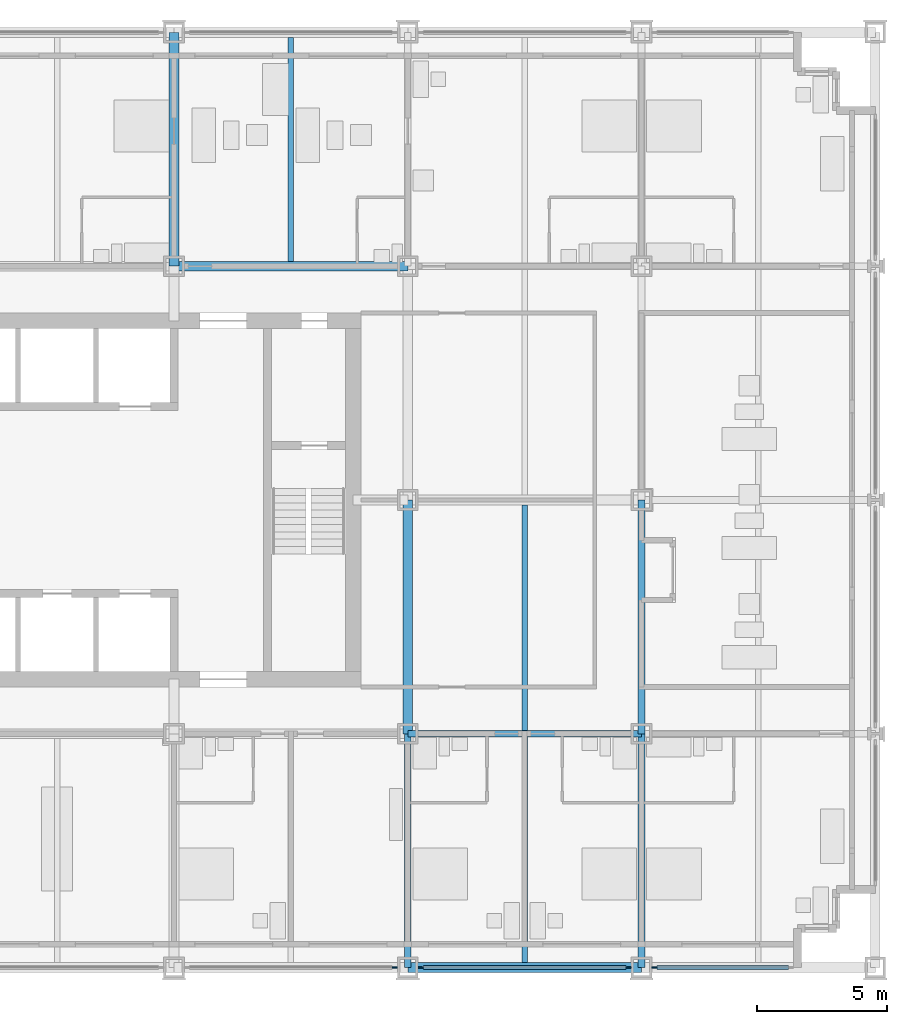
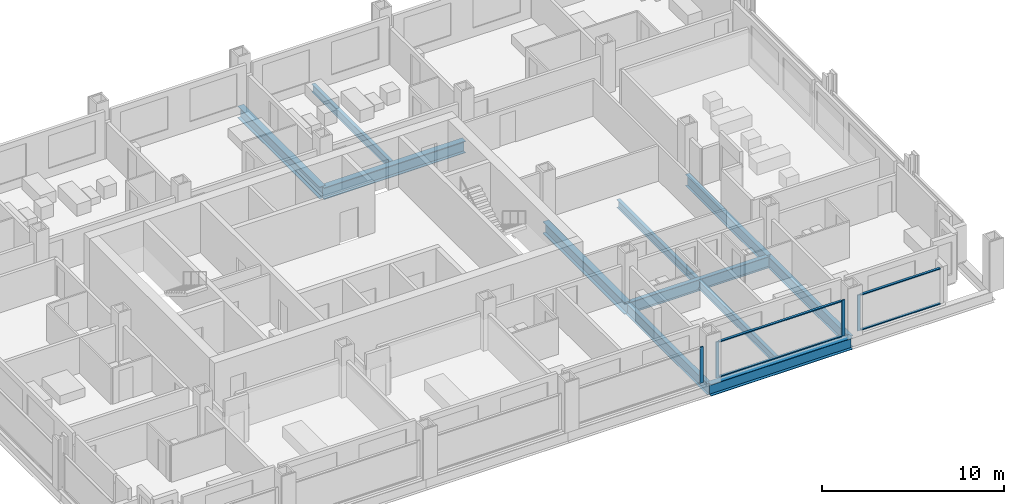
# One storey, part 5 of 18: 11 beams, 8 members, 3 elements without a shape of their own.
"""IFC4 building model written with IfcOpenShell, lengths in metres."""

from ifc_helpers import new_model, si_unit, direction, frame, origin, origin_2d, place, context, subcontext, project, spatial, rectangle, i_section, extrude, material, material_profile, profile_set, type_object, element, aggregate, save


model = new_model("IFC4")

# Units and contexts
model_context = context("Model", 3, precision=1e-05, world=origin(), true_north=direction((0.0, 1.0)))
body_context = subcontext(model_context, "Body", "Model", "MODEL_VIEW")
ifc_project = project(units=[si_unit("LENGTHUNIT", "METRE"), si_unit("AREAUNIT", "SQUARE_METRE"), si_unit("VOLUMEUNIT", "CUBIC_METRE"), si_unit("PLANEANGLEUNIT", "RADIAN"), si_unit("MASSUNIT", "GRAM", prefix="KILO")], contexts=[model_context])

# Site, building, storey
site_placement = place(None, origin())
site = spatial("IfcSite", under=ifc_project, at=site_placement, CompositionType="ELEMENT")
building_placement = place(site_placement, origin())
building = spatial("IfcBuilding", under=site, at=building_placement, Name="Loomwork Tower", CompositionType="ELEMENT")
storey_placement = place(building_placement, frame((0.0, 0.0, 28.0)))
storey = spatial("IfcBuildingStorey", under=building, at=storey_placement, Name="L05", CompositionType="ELEMENT", Elevation=28.0)

# Beams
ifc_material_1 = material(Name="Steel ASTM A992", Category="steel")
ifc_material_profile_1 = material_profile(ifc_material_1, i_section(OverallWidth=0.383544921875, OverallDepth=0.794921875, WebThickness=0.02099609375, FlangeThickness=0.0380859375, at=origin_2d()), Name="W30x235")
ifc_profile_set_1 = profile_set([ifc_material_profile_1], Name="Steel ASTM A992")
beam_type_1 = type_object("IfcBeamType", Name="CORE FLANK GIRDER W30x235", PredefinedType="BEAM", material=ifc_profile_set_1)
for number, where, z_axis, x_axis, name in (
    (1, (27.0, 27.0, -0.597412109375), (1.0, 0.0, 0.0), (0.0, 1.0, 0.0), "Core Flank Girder G/5-G/6 L05"),
    (2, (27.0, 27.0, -0.597412109375), (0.0, 1.0, 0.0), (-1.0, 0.0, 0.0), "Core Flank Girder G/5-H/5 L05"),
    (3, (36.0, 9.0, -0.597412109375), (0.0, 1.0, 0.0), (-1.0, 0.0, 0.0), "Core Flank Girder E/6-F/6 L05"),
):
    element("IfcBeam", number, at=place(storey_placement, frame(where, z_axis=z_axis, x_axis=x_axis)), inside=storey, type_object=beam_type_1, Name=name, PredefinedType="BEAM", context=body_context, shape_type="SweptSolid", body=[
        extrude(i_section(OverallWidth=0.383544921875, OverallDepth=0.794921875, WebThickness=0.02099609375, FlangeThickness=0.0380859375, at=origin_2d()), origin(), (0.0, 0.0, 1.0), 9.0),
    ])
ifc_material_2 = material(Name="Steel ASTM A992", Category="steel")
ifc_material_profile_2 = material_profile(ifc_material_2, i_section(OverallWidth=0.2666015625, OverallDepth=0.761962890625, WebThickness=0.014404296875, FlangeThickness=0.021484375, at=origin_2d()), Name="W30x116")
ifc_profile_set_2 = profile_set([ifc_material_profile_2], Name="Steel ASTM A992")
beam_type_2 = type_object("IfcBeamType", Name="FLOOR GIRDER W30x116", PredefinedType="BEAM", material=ifc_profile_set_2)
for number, where, z_axis, x_axis, name in (
    (4, (36.0, 9.0, -0.5810546875), (1.0, 0.0, 0.0), (0.0, 1.0, 0.0), "Floor Girder E/6-E/7 L05"),
    (5, (36.0, 0.0, -0.5810546875), (0.0, 1.0, 0.0), (-1.0, 0.0, 0.0), "Floor Girder D/6-E/6 L05"),
    (6, (45.0, 0.0, -0.5810546875), (0.0, 1.0, 0.0), (-1.0, 0.0, 0.0), "Floor Girder D/7-E/7 L05"),
    (7, (45.0, 9.0, -0.5810546875), (0.0, 1.0, 0.0), (-1.0, 0.0, 0.0), "Floor Girder E/7-F/7 L05"),
):
    element("IfcBeam", number, at=place(storey_placement, frame(where, z_axis=z_axis, x_axis=x_axis)), inside=storey, type_object=beam_type_2, Name=name, PredefinedType="BEAM", context=body_context, shape_type="SweptSolid", body=[
        extrude(i_section(OverallWidth=0.2666015625, OverallDepth=0.761962890625, WebThickness=0.014404296875, FlangeThickness=0.021484375, at=origin_2d()), origin(), (0.0, 0.0, 1.0), 9.0),
    ])
ifc_material_3 = material(Name="Steel ASTM A992", Category="steel")
ifc_material_profile_3 = material_profile(ifc_material_3, i_section(OverallWidth=0.21240234375, OverallDepth=0.54345703125, WebThickness=0.01318359375, FlangeThickness=0.021240234375, at=origin_2d()), Name="W21x83")
ifc_profile_set_3 = profile_set([ifc_material_profile_3], Name="Steel ASTM A992")
beam_type_3 = type_object("IfcBeamType", Name="FLOOR JOIST W21x83", PredefinedType="JOIST", material=ifc_profile_set_3)
beam_1_placement = place(storey_placement, frame((31.5, 27.19091796875, -0.4716796875), z_axis=(0.0, 1.0, 0.0), x_axis=(-1.0, 0.0, 0.0)))
element("IfcBeam", 8, at=beam_1_placement, inside=storey, type_object=beam_type_3, Name="Floor Joist 31.500,27.000-31.500,36.000 L05", PredefinedType="JOIST", context=body_context, shape_type="SweptSolid", body=[
    extrude(i_section(OverallWidth=0.21240234375, OverallDepth=0.54345703125, WebThickness=0.01318359375, FlangeThickness=0.021240234375, at=origin_2d()), origin(), (0.0, 0.0, 1.0), 8.619140625),
])
beam_2_placement = place(storey_placement, frame((40.5, 0.18994140625, -0.4716796875), z_axis=(0.0, 1.0, 0.0), x_axis=(-1.0, 0.0, 0.0)))
element("IfcBeam", 9, at=beam_2_placement, inside=storey, type_object=beam_type_3, Name="Floor Joist 40.500,0.000-40.500,9.000 L05", PredefinedType="JOIST", context=body_context, shape_type="SweptSolid", body=[
    extrude(i_section(OverallWidth=0.21240234375, OverallDepth=0.54345703125, WebThickness=0.01318359375, FlangeThickness=0.021240234375, at=origin_2d()), origin(), (0.0, 0.0, 1.0), 8.677001953125),
])
beam_3_placement = place(storey_placement, frame((40.5, 9.133056640625, -0.4716796875), z_axis=(0.0, 1.0, 0.0), x_axis=(-1.0, 0.0, 0.0)))
element("IfcBeam", 10, at=beam_3_placement, inside=storey, type_object=beam_type_3, Name="Floor Joist 40.500,9.000-40.500,18.000 L05", PredefinedType="JOIST", context=body_context, shape_type="SweptSolid", body=[
    extrude(i_section(OverallWidth=0.21240234375, OverallDepth=0.54345703125, WebThickness=0.01318359375, FlangeThickness=0.021240234375, at=origin_2d()), origin(), (0.0, 0.0, 1.0), 8.676025390625),
])

# Curtain wall, member
ifc_material_4 = material(Name="Aluminium curtain wall frame", Category="aluminium")
curtain_wall_type = type_object("IfcCurtainWallType", Name="Outer skin glazing hotel", PredefinedType="NOTDEFINED", material=ifc_material_4)
curtain_wall_1_placement = place(storey_placement, origin())
curtain_wall_1 = element("IfcCurtainWall", 11, at=curtain_wall_1_placement, inside=storey, type_object=curtain_wall_type, Name="Outer skin glazing hotel cw/S-27", PredefinedType="NOTDEFINED")
ifc_material_5 = material(Name="Aluminium curtain wall frame", Category="aluminium")
ifc_material_profile_4 = material_profile(ifc_material_5, rectangle(XDim=0.06494140625, YDim=0.199951171875, at=origin_2d()), Name="AL 65x200")
ifc_profile_set_4 = profile_set([ifc_material_profile_4], Name="Aluminium curtain wall frame")
member_type_1 = type_object("IfcMemberType", Name="Outer skin glazing hotel mullion", PredefinedType="MULLION", material=ifc_profile_set_4)
member_1_placement = place(storey_placement, frame((35.5, 0.0, 0.0), z_axis=(0.0, 0.0, 1.0), x_axis=(0.0, 1.0, 0.0)))
member_1 = element("IfcMember", 12, at=member_1_placement, type_object=member_type_1, Name="CW1 mullion 2", PredefinedType="MULLION", context=body_context, shape_type="SweptSolid", body=[
    extrude(rectangle(XDim=0.06494140625, YDim=0.199951171875, at=origin_2d()), origin(), (0.0, 0.0, 1.0), 2.420166015625),
])
aggregate(curtain_wall_1, [member_1])

# Curtain wall, members
curtain_wall_2_placement = place(storey_placement, origin())
curtain_wall_2 = element("IfcCurtainWall", 13, at=curtain_wall_2_placement, inside=storey, type_object=curtain_wall_type, Name="Outer skin glazing hotel cw/S-36", PredefinedType="NOTDEFINED")
member_2_placement = place(storey_placement, frame((36.5, 0.0, 0.0), z_axis=(0.0, 0.0, 1.0), x_axis=(0.0, 1.0, 0.0)))
member_2 = element("IfcMember", 14, at=member_2_placement, type_object=member_type_1, Name="CW1 mullion 1", PredefinedType="MULLION", context=body_context, shape_type="SweptSolid", body=[
    extrude(rectangle(XDim=0.06494140625, YDim=0.199951171875, at=origin_2d()), origin(), (0.0, 0.0, 1.0), 2.420166015625),
])
member_3_placement = place(storey_placement, frame((44.5, 0.0, 0.0), z_axis=(0.0, 0.0, 1.0), x_axis=(0.0, 1.0, 0.0)))
member_3 = element("IfcMember", 15, at=member_3_placement, type_object=member_type_1, Name="CW1 mullion 2", PredefinedType="MULLION", context=body_context, shape_type="SweptSolid", body=[
    extrude(rectangle(XDim=0.06494140625, YDim=0.199951171875, at=origin_2d()), origin(), (0.0, 0.0, 1.0), 2.420166015625),
])

# Curtain wall, member
curtain_wall_3_placement = place(storey_placement, origin())
curtain_wall_3 = element("IfcCurtainWall", 16, at=curtain_wall_3_placement, inside=storey, type_object=curtain_wall_type, Name="Outer skin glazing hotel cw/S-45", PredefinedType="NOTDEFINED")
member_4_placement = place(storey_placement, frame((45.5, 0.0, 0.0), z_axis=(0.0, 0.0, 1.0), x_axis=(0.0, 1.0, 0.0)))
member_4 = element("IfcMember", 17, at=member_4_placement, type_object=member_type_1, Name="CW1 mullion 1", PredefinedType="MULLION", context=body_context, shape_type="SweptSolid", body=[
    extrude(rectangle(XDim=0.06494140625, YDim=0.199951171875, at=origin_2d()), origin(), (0.0, 0.0, 1.0), 2.420166015625),
])

# Member
ifc_material_6 = material(Name="Aluminium curtain wall frame", Category="aluminium")
ifc_material_profile_5 = material_profile(ifc_material_6, rectangle(XDim=0.14990234375, YDim=0.06494140625, at=origin_2d()), Name="AL 65x150")
ifc_profile_set_5 = profile_set([ifc_material_profile_5], Name="Aluminium curtain wall frame")
member_type_2 = type_object("IfcMemberType", Name="Outer skin glazing hotel transom", PredefinedType="USERDEFINED", material=ifc_profile_set_5)
member_5_placement = place(storey_placement, frame((36.60009765625, 0.0, 0.032470703125), z_axis=(1.0, 0.0, 0.0), x_axis=(0.0, 1.0, 0.0)))
member_5 = element("IfcMember", 18, at=member_5_placement, type_object=member_type_2, Name="CW1 transom 1.1", ObjectType="TRANSOM", PredefinedType="USERDEFINED", context=body_context, shape_type="SweptSolid", body=[
    extrude(rectangle(XDim=0.14990234375, YDim=0.06494140625, at=origin_2d()), origin(), (0.0, 0.0, 1.0), 7.7998046875),
])

member_6_placement = place(storey_placement, frame((36.60009765625, 0.0, 2.3876953125), z_axis=(1.0, 0.0, 0.0), x_axis=(0.0, 1.0, 0.0)))
member_6 = element("IfcMember", 19, at=member_6_placement, type_object=member_type_2, Name="CW1 transom 1.2", ObjectType="TRANSOM", PredefinedType="USERDEFINED", context=body_context, shape_type="SweptSolid", body=[
    extrude(rectangle(XDim=0.14990234375, YDim=0.06494140625, at=origin_2d()), origin(), (0.0, 0.0, 1.0), 7.7998046875),
])

aggregate(curtain_wall_2, [member_2, member_3, member_5, member_6])

member_7_placement = place(storey_placement, frame((45.60009765625, 0.0, 0.032470703125), z_axis=(1.0, 0.0, 0.0), x_axis=(0.0, 1.0, 0.0)))
member_7 = element("IfcMember", 20, at=member_7_placement, type_object=member_type_2, Name="CW1 transom 1.1", ObjectType="TRANSOM", PredefinedType="USERDEFINED", context=body_context, shape_type="SweptSolid", body=[
    extrude(rectangle(XDim=0.14990234375, YDim=0.06494140625, at=origin_2d()), origin(), (0.0, 0.0, 1.0), 5.0498046875),
])

member_8_placement = place(storey_placement, frame((45.60009765625, 0.0, 2.3876953125), z_axis=(1.0, 0.0, 0.0), x_axis=(0.0, 1.0, 0.0)))
member_8 = element("IfcMember", 21, at=member_8_placement, type_object=member_type_2, Name="CW1 transom 1.2", ObjectType="TRANSOM", PredefinedType="USERDEFINED", context=body_context, shape_type="SweptSolid", body=[
    extrude(rectangle(XDim=0.14990234375, YDim=0.06494140625, at=origin_2d()), origin(), (0.0, 0.0, 1.0), 5.0498046875),
])

aggregate(curtain_wall_3, [member_4, member_7, member_8])

# Beam
ifc_material_7 = material(Name="Steel ASTM A992", Category="steel")
ifc_material_profile_6 = material_profile(ifc_material_7, i_section(OverallWidth=0.381103515625, OverallDepth=0.77978515625, WebThickness=0.01806640625, FlangeThickness=0.0302734375, at=origin_2d()), Name="W30x191")
ifc_profile_set_6 = profile_set([ifc_material_profile_6], Name="Steel ASTM A992")
beam_type_4 = type_object("IfcBeamType", Name="SPANDREL GIRDER W30x191", PredefinedType="SPANDREL", material=ifc_profile_set_6)
beam_4_placement = place(storey_placement, frame((36.0, 0.0, -0.58984375), z_axis=(1.0, 0.0, 0.0), x_axis=(0.0, 1.0, 0.0)))
element("IfcBeam", 22, at=beam_4_placement, inside=storey, type_object=beam_type_4, Name="Spandrel Girder D/6-D/7 L05", PredefinedType="SPANDREL", context=body_context, shape_type="SweptSolid", body=[
    extrude(i_section(OverallWidth=0.381103515625, OverallDepth=0.77978515625, WebThickness=0.01806640625, FlangeThickness=0.0302734375, at=origin_2d()), origin(), (0.0, 0.0, 1.0), 9.0),
])

save(model, "model.ifc")
